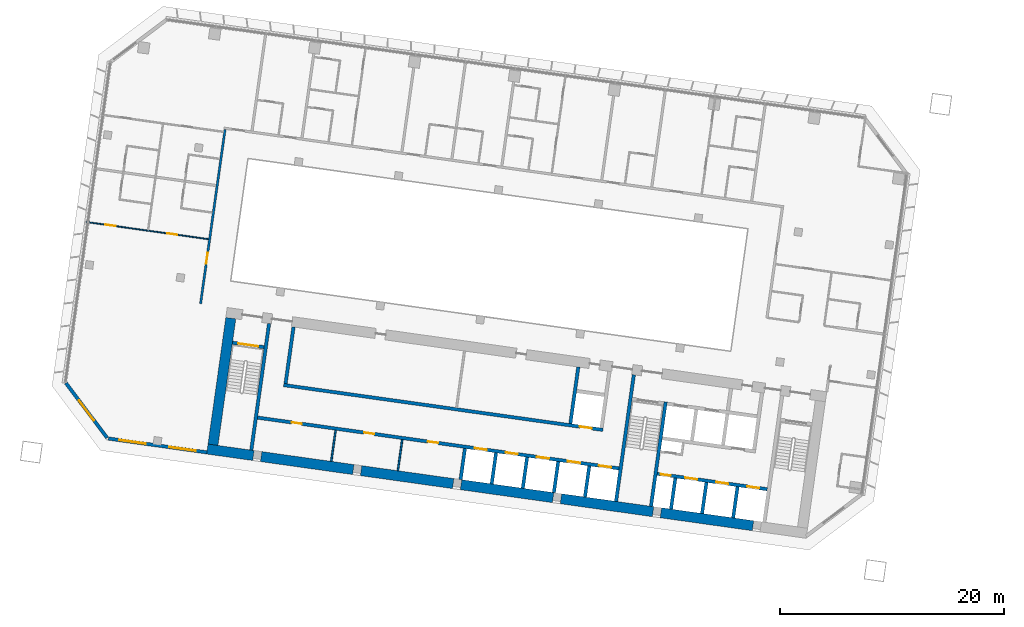
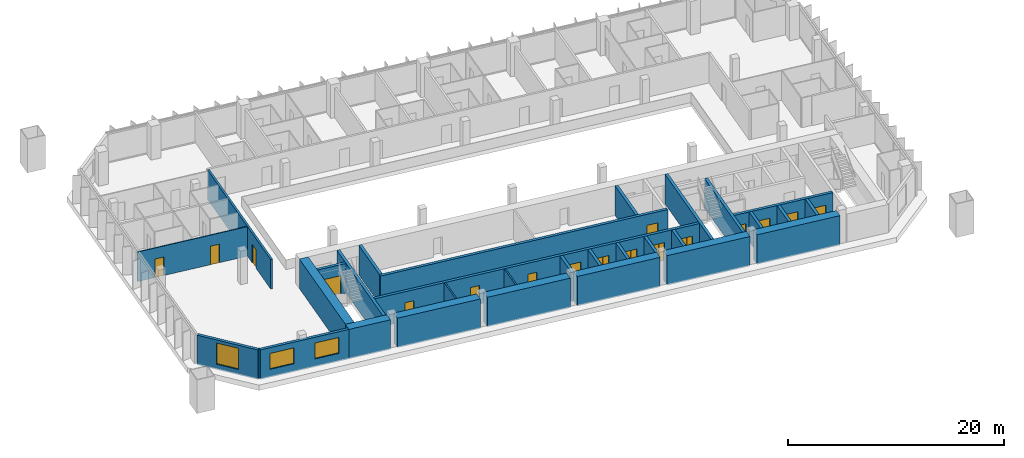
# One storey, part 14 of 25: 30 walls, 17 doors, 3 windows, 20 openings.
"""IFC4 building model written with IfcOpenShell, lengths in metres."""

from ifc_helpers import new_model, si_unit, direction, frame, frame_2d, origin, place, context, subcontext, project, spatial, rectangle, extrude, material, layer, layer_set, type_object, element, fill, save


model = new_model("IFC4")

# Units and contexts
model_context = context("Model", 3, precision=1e-05, world=origin(), true_north=direction((0.0, 1.0)))
body_context = subcontext(model_context, "Body", "Model", "MODEL_VIEW")
ifc_project = project(units=[si_unit("LENGTHUNIT", "METRE"), si_unit("AREAUNIT", "SQUARE_METRE"), si_unit("VOLUMEUNIT", "CUBIC_METRE"), si_unit("PLANEANGLEUNIT", "RADIAN"), si_unit("MASSUNIT", "GRAM", prefix="KILO")], contexts=[model_context])

# Site, building, storey
site_placement = place(None, origin())
site = spatial("IfcSite", under=ifc_project, at=site_placement, CompositionType="ELEMENT")
building_placement = place(site_placement, origin())
building = spatial("IfcBuilding", under=site, at=building_placement, Name="Mirante Cascada Hotel Towers", CompositionType="ELEMENT")
storey_placement = place(building_placement, frame((0.0, 0.0, 62.3)))
storey = spatial("IfcBuildingStorey", under=building, at=storey_placement, Name="L12", CompositionType="ELEMENT", Elevation=62.3)

# Wall, opening, door
ifc_material_1 = material(Name="Fire-rated plasterboard on metal studs")
ifc_layer_1 = layer(ifc_material_1, 0.2)
ifc_layer_set_1 = layer_set([ifc_layer_1], Name="Compartment wall 200 EI 120")
wall_type_1 = type_object("IfcWallType", Name="Compartment wall 200 EI 120", PredefinedType="PARTITIONING", material=ifc_layer_set_1)
wall_1_placement = place(storey_placement, frame((-91.1145, 0.7321, 0.0), z_axis=(0.0, 0.0, 1.0), x_axis=(0.1391721, 0.9902682, 0.0)))
wall_1 = element("IfcWall", 1, at=wall_1_placement, inside=storey, type_object=wall_type_1, Name="Wall 1-L12-59", PredefinedType="PARTITIONING", context=body_context, shape_type="SweptSolid", body=[
    extrude(rectangle(XDim=15.7, YDim=0.2, at=frame_2d((7.85, 0.0))), origin(), (0.0, 0.0, 1.0), 3.35),
])
opening_1_placement = place(wall_1_placement, frame((3.6, 0.0, 0.0)))
opening_1 = element("IfcOpeningElement", 2, at=opening_1_placement, cuts=wall_1, Name="Opening D1-L12-38", PredefinedType="OPENING", context=body_context, shape_type="SweptSolid", body=[
    extrude(rectangle(XDim=1.0, YDim=2.1, at=frame_2d((0.5, 1.05))), frame((0.0, 0.1, 0.0), z_axis=(0.0, -1.0, 0.0), x_axis=(1.0, 0.0, 0.0)), (0.0, 0.0, 1.0), 0.2),
])
ifc_material_2 = material(Name="Fire-rated timber door leaf", Category="wood")
door_type_1 = type_object("IfcDoorType", Name="Entrance door DG1 1000x2100 EI 60", OperationType="SINGLE_SWING_LEFT", PredefinedType="DOOR", material=ifc_material_2)
door_1_placement = place(opening_1_placement, origin())
door_1 = element("IfcDoor", 3, at=door_1_placement, inside=storey, type_object=door_type_1, Name="Door D1-L12-38", OperationType="SINGLE_SWING_LEFT", OverallHeight=2.1, OverallWidth=1.0, PredefinedType="DOOR", context=body_context, shape_type="SweptSolid", body=[
    extrude(rectangle(XDim=1.0, YDim=2.1, at=frame_2d((0.5, 1.05))), frame((0.0, 0.025, 0.0), z_axis=(0.0, -1.0, 0.0), x_axis=(1.0, 0.0, 0.0)), (0.0, 0.0, 1.0), 0.05),
])
fill(opening_1, door_1)

# Walls
ifc_material_3 = material(Name="Masonry block", Category="masonry")
ifc_layer_2 = layer(ifc_material_3, 0.15)
ifc_layer_set_2 = layer_set([ifc_layer_2], Name="Core room partition 150 block EI 30")
wall_type_2 = type_object("IfcWallType", Name="Core room partition 150 block EI 30", PredefinedType="PARTITIONING", material=ifc_layer_set_2)
wall_2_placement = place(storey_placement, frame((-73.5161, -14.1621, 0.0), z_axis=(0.0, 0.0, 1.0), x_axis=(0.139176, 0.9902677, 0.0)))
element("IfcWall", 4, at=wall_2_placement, inside=storey, type_object=wall_type_2, Name="Core wall partition T1 L12 4", PredefinedType="PARTITIONING", context=body_context, shape_type="SweptSolid", body=[
    extrude(rectangle(XDim=2.8001, YDim=0.15, at=frame_2d((1.4, 0.0))), origin(), (0.0, 0.0, 1.0), 3.35),
])
wall_3_placement = place(storey_placement, frame((-79.4577, -13.327, 0.0), z_axis=(0.0, 0.0, 1.0), x_axis=(0.1391459, 0.9902719, 0.0)))
element("IfcWall", 5, at=wall_3_placement, inside=storey, type_object=wall_type_2, Name="Core wall partition T1 L12 5", PredefinedType="PARTITIONING", context=body_context, shape_type="SweptSolid", body=[
    extrude(rectangle(XDim=2.7999, YDim=0.15, at=frame_2d((1.4, 0.0))), origin(), (0.0, 0.0, 1.0), 3.35),
])

# Wall, openings, doors
ifc_material_4 = material(Name="Plasterboard on metal studs")
ifc_layer_3 = layer(ifc_material_4, 0.1)
ifc_layer_set_3 = layer_set([ifc_layer_3], Name="Partition 100")
wall_type_3 = type_object("IfcWallType", Name="Partition 100", PredefinedType="PARTITIONING", material=ifc_layer_set_3)
wall_4_placement = place(storey_placement, frame((-90.4064, 6.4896, 0.0), z_axis=(0.0, 0.0, 1.0), x_axis=(-0.990268, 0.1391733, 0.0)))
wall_4 = element("IfcWall", 6, at=wall_4_placement, inside=storey, type_object=wall_type_3, Name="Wall 1-L12-07", PredefinedType="PARTITIONING", context=body_context, shape_type="SweptSolid", body=[
    extrude(rectangle(XDim=11.0, YDim=0.1, at=frame_2d((5.5, 0.0))), origin(), (0.0, 0.0, 1.0), 3.35),
])
opening_2_placement = place(wall_4_placement, frame((2.825, 0.0, 0.0)))
opening_2 = element("IfcOpeningElement", 7, at=opening_2_placement, cuts=wall_4, Name="Opening D1-L12-02", PredefinedType="OPENING", context=body_context, shape_type="SweptSolid", body=[
    extrude(rectangle(XDim=0.9, YDim=2.1, at=frame_2d((0.45, 1.05))), frame((0.0, 0.05, 0.0), z_axis=(0.0, -1.0, 0.0), x_axis=(1.0, 0.0, 0.0)), (0.0, 0.0, 1.0), 0.1),
])
opening_3_placement = place(wall_4_placement, frame((8.375, 0.0, 0.0)))
opening_3 = element("IfcOpeningElement", 8, at=opening_3_placement, cuts=wall_4, Name="Opening D1-L12-03", PredefinedType="OPENING", context=body_context, shape_type="SweptSolid", body=[
    extrude(rectangle(XDim=0.9, YDim=2.1, at=frame_2d((0.45, 1.05))), frame((0.0, 0.05, 0.0), z_axis=(0.0, -1.0, 0.0), x_axis=(1.0, 0.0, 0.0)), (0.0, 0.0, 1.0), 0.1),
])
ifc_material_5 = material(Name="Timber door leaf", Category="wood")
door_type_2 = type_object("IfcDoorType", Name="Room door DG3 900x2100", OperationType="SINGLE_SWING_LEFT", PredefinedType="DOOR", material=ifc_material_5)
door_2_placement = place(opening_2_placement, origin())
door_2 = element("IfcDoor", 9, at=door_2_placement, inside=storey, type_object=door_type_2, Name="Door D1-L12-02", OperationType="SINGLE_SWING_LEFT", OverallHeight=2.1, OverallWidth=0.9, PredefinedType="DOOR", context=body_context, shape_type="SweptSolid", body=[
    extrude(rectangle(XDim=0.9, YDim=2.1, at=frame_2d((0.45, 1.05))), frame((0.0, 0.025, 0.0), z_axis=(0.0, -1.0, 0.0), x_axis=(1.0, 0.0, 0.0)), (0.0, 0.0, 1.0), 0.05),
])
fill(opening_2, door_2)
door_3_placement = place(opening_3_placement, origin())
door_3 = element("IfcDoor", 10, at=door_3_placement, inside=storey, type_object=door_type_2, Name="Door D1-L12-03", OperationType="SINGLE_SWING_LEFT", OverallHeight=2.1, OverallWidth=0.9, PredefinedType="DOOR", context=body_context, shape_type="SweptSolid", body=[
    extrude(rectangle(XDim=0.9, YDim=2.1, at=frame_2d((0.45, 1.05))), frame((0.0, 0.025, 0.0), z_axis=(0.0, -1.0, 0.0), x_axis=(1.0, 0.0, 0.0)), (0.0, 0.0, 1.0), 0.05),
])
fill(opening_3, door_3)

# Wall, openings, windows
ifc_material_6 = material(Name="Precast concrete C40/50", Category="concrete")
ifc_layer_4 = layer(ifc_material_6, 0.3)
ifc_layer_set_4 = layer_set([ifc_layer_4], Name="Precast concrete C40/50 cladding wall 300")
wall_type_4 = type_object("IfcWallType", Name="Precast concrete C40/50 cladding wall 300", PredefinedType="STANDARD", material=ifc_layer_set_4)
wall_5_placement = place(storey_placement, frame((-90.5541, -12.5249, 0.0), z_axis=(0.0, 0.0, 1.0), x_axis=(-0.9902676, 0.1391765, 0.0)))
wall_5 = element("IfcWall", 11, at=wall_5_placement, inside=storey, type_object=wall_type_4, Name="Rear cladding wall T1 L12 1", PredefinedType="STANDARD", context=body_context, shape_type="SweptSolid", body=[
    extrude(rectangle(XDim=8.8758, YDim=0.3, at=frame_2d((4.4379, 0.0))), origin(), (0.0, 0.0, 1.0), 3.35),
])
opening_4_placement = place(wall_5_placement, frame((1.0012, 0.0, 0.9)))
opening_4 = element("IfcOpeningElement", 12, at=opening_4_placement, cuts=wall_5, Name="Opening W1-12-01", PredefinedType="OPENING", context=body_context, shape_type="SweptSolid", body=[
    extrude(rectangle(XDim=2.4, YDim=1.8, at=frame_2d((1.2, 0.9))), frame((0.0, 0.15, 0.0), z_axis=(0.0, -1.0, 0.0), x_axis=(1.0, 0.0, 0.0)), (0.0, 0.0, 1.0), 0.3),
])
opening_5_placement = place(wall_5_placement, frame((5.4923, 0.0, 0.9)))
opening_5 = element("IfcOpeningElement", 13, at=opening_5_placement, cuts=wall_5, Name="Opening W1-12-02", PredefinedType="OPENING", context=body_context, shape_type="SweptSolid", body=[
    extrude(rectangle(XDim=2.4, YDim=1.8, at=frame_2d((1.2, 0.9))), frame((0.0, 0.15, 0.0), z_axis=(0.0, -1.0, 0.0), x_axis=(1.0, 0.0, 0.0)), (0.0, 0.0, 1.0), 0.3),
])
ifc_material_7 = material(Name="Aluminium frame with clear double glazing", Category="aluminium")
window_type_1 = type_object("IfcWindowType", Name="Punched window 2400x1800", PartitioningType="DOUBLE_PANEL_VERTICAL", PredefinedType="WINDOW", material=ifc_material_7)
window_1_placement = place(opening_4_placement, origin())
window_1 = element("IfcWindow", 14, at=window_1_placement, inside=storey, type_object=window_type_1, Name="Window W1-12-01", OverallHeight=1.8, OverallWidth=2.4, PartitioningType="SINGLE_PANEL", PredefinedType="WINDOW", context=body_context, shape_type="SweptSolid", body=[
    extrude(rectangle(XDim=2.4, YDim=1.8, at=frame_2d((1.2, 0.9))), frame((0.0, 0.03, 0.0), z_axis=(0.0, -1.0, 0.0), x_axis=(1.0, 0.0, 0.0)), (0.0, 0.0, 1.0), 0.06),
])
fill(opening_4, window_1)
window_2_placement = place(opening_5_placement, origin())
window_2 = element("IfcWindow", 15, at=window_2_placement, inside=storey, type_object=window_type_1, Name="Window W1-12-02", OverallHeight=1.8, OverallWidth=2.4, PartitioningType="SINGLE_PANEL", PredefinedType="WINDOW", context=body_context, shape_type="SweptSolid", body=[
    extrude(rectangle(XDim=2.4, YDim=1.8, at=frame_2d((1.2, 0.9))), frame((0.0, 0.03, 0.0), z_axis=(0.0, -1.0, 0.0), x_axis=(1.0, 0.0, 0.0)), (0.0, 0.0, 1.0), 0.06),
])
fill(opening_5, window_2)

# Wall, opening, window
wall_6_placement = place(storey_placement, frame((-99.4424, -11.2313, 0.0), z_axis=(0.0, 0.0, 1.0), x_axis=(-0.6018194, 0.7986322, 0.0)))
wall_6 = element("IfcWall", 16, at=wall_6_placement, inside=storey, type_object=wall_type_4, Name="Corner cladding wall T1 L12 rear outer", PredefinedType="STANDARD", context=body_context, shape_type="SweptSolid", body=[
    extrude(rectangle(XDim=6.1155, YDim=0.3, at=frame_2d((3.0578, 0.0))), origin(), (0.0, 0.0, 1.0), 3.35),
])
opening_6_placement = place(wall_6_placement, frame((1.9576, 0.0, 0.6)))
opening_6 = element("IfcOpeningElement", 17, at=opening_6_placement, cuts=wall_6, Name="Opening W1-12-03", PredefinedType="OPENING", context=body_context, shape_type="SweptSolid", body=[
    extrude(rectangle(XDim=2.2, YDim=2.4, at=frame_2d((1.1, 1.2))), frame((0.0, 0.15, 0.0), z_axis=(0.0, -1.0, 0.0), x_axis=(1.0, 0.0, 0.0)), (0.0, 0.0, 1.0), 0.3),
])
ifc_material_8 = material(Name="Aluminium frame with clear double glazing", Category="aluminium")
window_type_2 = type_object("IfcWindowType", Name="Corner suite window 2200x2400", PartitioningType="DOUBLE_PANEL_VERTICAL", PredefinedType="WINDOW", material=ifc_material_8)
window_3_placement = place(opening_6_placement, origin())
window_3 = element("IfcWindow", 18, at=window_3_placement, inside=storey, type_object=window_type_2, Name="Window W1-12-03", OverallHeight=2.4, OverallWidth=2.2, PartitioningType="SINGLE_PANEL", PredefinedType="WINDOW", context=body_context, shape_type="SweptSolid", body=[
    extrude(rectangle(XDim=2.2, YDim=2.4, at=frame_2d((1.1, 1.2))), frame((0.0, 0.03, 0.0), z_axis=(0.0, -1.0, 0.0), x_axis=(1.0, 0.0, 0.0)), (0.0, 0.0, 1.0), 0.06),
])
fill(opening_6, window_3)

# Walls
ifc_material_9 = material(Name="Concrete C50/60", Category="concrete")
ifc_layer_5 = layer(ifc_material_9, 0.3)
ifc_layer_set_5 = layer_set([ifc_layer_5], Name="RC core wall 300 C50/60")
wall_type_5 = type_object("IfcWallType", Name="RC core wall 300 C50/60", PredefinedType="SHEAR", material=ifc_layer_set_5)
wall_7_placement = place(storey_placement, frame((-50.938, -17.3352, 0.0), z_axis=(0.0, 0.0, 1.0), x_axis=(0.1391706, 0.9902684, 0.0)))
element("IfcWall", 19, at=wall_7_placement, inside=storey, type_object=wall_type_5, Name="Core wall T1:L12:6", PredefinedType="SHEAR", context=body_context, shape_type="SweptSolid", body=[
    extrude(rectangle(XDim=9.4, YDim=0.3, at=frame_2d((4.7, 0.0))), origin(), (0.0, 0.0, 1.0), 3.35),
])
wall_8_placement = place(storey_placement, frame((-54.0574, -16.8968, 0.0), z_axis=(0.0, 0.0, 1.0), x_axis=(0.1391761, 0.9902677, 0.0)))
element("IfcWall", 20, at=wall_8_placement, inside=storey, type_object=wall_type_5, Name="Core wall T1:L12:7", PredefinedType="SHEAR", context=body_context, shape_type="SweptSolid", body=[
    extrude(rectangle(XDim=11.3999, YDim=0.3, at=frame_2d((5.7, 0.0))), origin(), (0.0, 0.0, 1.0), 3.35),
])
wall_9_placement = place(storey_placement, frame((-86.5877, -12.325, 0.0), z_axis=(0.0, 0.0, 1.0), x_axis=(0.1391749, 0.9902678, 0.0)))
element("IfcWall", 21, at=wall_9_placement, inside=storey, type_object=wall_type_5, Name="Core wall T1:L12:8", PredefinedType="SHEAR", context=body_context, shape_type="SweptSolid", body=[
    extrude(rectangle(XDim=11.4, YDim=0.3, at=frame_2d((5.7, 0.0))), origin(), (0.0, 0.0, 1.0), 3.35),
])

# Wall, opening, door
wall_10_placement = place(storey_placement, frame((-85.4489, -3.1441, 0.0), z_axis=(0.0, 0.0, 1.0), x_axis=(-0.9902697, 0.1391613, 0.0)))
wall_10 = element("IfcWall", 22, at=wall_10_placement, inside=storey, type_object=wall_type_5, Name="Core wall T1:L12:11", PredefinedType="SHEAR", context=body_context, shape_type="SweptSolid", body=[
    extrude(rectangle(XDim=2.8499, YDim=0.3, at=frame_2d((1.425, 0.0))), origin(), (0.0, 0.0, 1.0), 3.35),
])
opening_7_placement = place(wall_10_placement, frame((0.525, 0.0, 0.0)))
opening_7 = element("IfcOpeningElement", 23, at=opening_7_placement, cuts=wall_10, Name="Opening D1-12-C17", PredefinedType="OPENING", context=body_context, shape_type="SweptSolid", body=[
    extrude(rectangle(XDim=1.8, YDim=2.1, at=frame_2d((0.9, 1.05))), frame((0.0, 0.15, 0.0), z_axis=(0.0, -1.0, 0.0), x_axis=(1.0, 0.0, 0.0)), (0.0, 0.0, 1.0), 0.3),
])
ifc_material_10 = material(Name="Hollow metal fire door leaf")
door_type_3 = type_object("IfcDoorType", Name="Double fire door 1800x2100 FD60", OperationType="DOUBLE_DOOR_SINGLE_SWING", PredefinedType="DOOR", material=ifc_material_10)
door_4_placement = place(opening_7_placement, origin())
door_4 = element("IfcDoor", 24, at=door_4_placement, inside=storey, type_object=door_type_3, Name="Stair door T1 L12 17", OperationType="DOUBLE_DOOR_SINGLE_SWING", OverallHeight=2.1, OverallWidth=1.8, PredefinedType="DOOR", context=body_context, shape_type="SweptSolid", body=[
    extrude(rectangle(XDim=0.895, YDim=2.1, at=frame_2d((0.4475, 1.05))), frame((0.0, 0.025, 0.0), z_axis=(0.0, -1.0, 0.0), x_axis=(1.0, 0.0, 0.0)), (0.0, 0.0, 1.0), 0.05),
    extrude(rectangle(XDim=0.895, YDim=2.1, at=frame_2d((1.3525, 1.05))), frame((0.0, 0.025, 0.0), z_axis=(0.0, -1.0, 0.0), x_axis=(1.0, 0.0, 0.0)), (0.0, 0.0, 1.0), 0.05),
])
fill(opening_7, door_4)

# Wall, openings, doors
wall_11_placement = place(storey_placement, frame((-40.5753, -15.8126, 0.0), z_axis=(0.0, 0.0, 1.0), x_axis=(-0.9902682, 0.1391725, 0.0)))
wall_11 = element("IfcWall", 25, at=wall_11_placement, inside=storey, type_object=wall_type_5, Name="Core wall T1:L12:12", PredefinedType="SHEAR", context=body_context, shape_type="SweptSolid", body=[
    extrude(rectangle(XDim=9.8999, YDim=0.3, at=frame_2d((4.95, 0.0))), origin(), (0.0, 0.0, 1.0), 3.35),
])
opening_8_placement = place(wall_11_placement, frame((0.7, 0.0, 0.0)))
opening_8 = element("IfcOpeningElement", 26, at=opening_8_placement, cuts=wall_11, Name="Opening LD", PredefinedType="OPENING", context=body_context, shape_type="SweptSolid", body=[
    extrude(rectangle(XDim=1.1, YDim=2.1, at=frame_2d((0.55, 1.05))), frame((0.0, 0.15, 0.0), z_axis=(0.0, -1.0, 0.0), x_axis=(1.0, 0.0, 0.0)), (0.0, 0.0, 1.0), 0.3),
])
opening_9_placement = place(wall_11_placement, frame((3.5, 0.0, 0.0)))
opening_9 = element("IfcOpeningElement", 27, at=opening_9_placement, cuts=wall_11, Name="Opening LD", PredefinedType="OPENING", context=body_context, shape_type="SweptSolid", body=[
    extrude(rectangle(XDim=1.1, YDim=2.1, at=frame_2d((0.55, 1.05))), frame((0.0, 0.15, 0.0), z_axis=(0.0, -1.0, 0.0), x_axis=(1.0, 0.0, 0.0)), (0.0, 0.0, 1.0), 0.3),
])
opening_10_placement = place(wall_11_placement, frame((6.3, 0.0, 0.0)))
opening_10 = element("IfcOpeningElement", 28, at=opening_10_placement, cuts=wall_11, Name="Opening LD", PredefinedType="OPENING", context=body_context, shape_type="SweptSolid", body=[
    extrude(rectangle(XDim=1.1, YDim=2.1, at=frame_2d((0.55, 1.05))), frame((0.0, 0.15, 0.0), z_axis=(0.0, -1.0, 0.0), x_axis=(1.0, 0.0, 0.0)), (0.0, 0.0, 1.0), 0.3),
])
opening_11_placement = place(wall_11_placement, frame((8.7, 0.0, 0.0)))
opening_11 = element("IfcOpeningElement", 29, at=opening_11_placement, cuts=wall_11, Name="Opening D1-12-C22", PredefinedType="OPENING", context=body_context, shape_type="SweptSolid", body=[
    extrude(rectangle(XDim=0.9, YDim=2.1, at=frame_2d((0.45, 1.05))), frame((0.0, 0.15, 0.0), z_axis=(0.0, -1.0, 0.0), x_axis=(1.0, 0.0, 0.0)), (0.0, 0.0, 1.0), 0.3),
])
ifc_material_11 = material(Name="Hollow metal fire door leaf")
door_type_4 = type_object("IfcDoorType", Name="Fire door 900x2100 FD60", OperationType="NOTDEFINED", PredefinedType="DOOR", material=ifc_material_11)
door_5_placement = place(opening_11_placement, origin())
door_5 = element("IfcDoor", 30, at=door_5_placement, inside=storey, type_object=door_type_4, Name="Riser door T1 L12 22", OperationType="SINGLE_SWING_LEFT", OverallHeight=2.1, OverallWidth=0.9, PredefinedType="DOOR", context=body_context, shape_type="SweptSolid", body=[
    extrude(rectangle(XDim=0.9, YDim=2.1, at=frame_2d((0.45, 1.05))), frame((0.0, 0.025, 0.0), z_axis=(0.0, -1.0, 0.0), x_axis=(1.0, 0.0, 0.0)), (0.0, 0.0, 1.0), 0.05),
])
fill(opening_11, door_5)
ifc_material_12 = material(Name="Stainless steel", Category="steel")
door_type_5 = type_object("IfcDoorType", Name="Lift landing door 1100x2100 EI 120", OperationType="DOUBLE_DOOR_SLIDING", PredefinedType="DOOR", material=ifc_material_12)
door_6_placement = place(opening_8_placement, origin())
door_6 = element("IfcDoor", 31, at=door_6_placement, inside=storey, type_object=door_type_5, Name="Lift landing door HR1-1 L12", OperationType="DOUBLE_DOOR_SLIDING", OverallHeight=2.1, OverallWidth=1.1, PredefinedType="DOOR", context=body_context, shape_type="SweptSolid", body=[
    extrude(rectangle(XDim=0.545, YDim=2.1, at=frame_2d((0.2725, 1.05))), frame((0.0, 0.025, 0.0), z_axis=(0.0, -1.0, 0.0), x_axis=(1.0, 0.0, 0.0)), (0.0, 0.0, 1.0), 0.05),
    extrude(rectangle(XDim=0.545, YDim=2.1, at=frame_2d((0.8275, 1.05))), frame((0.0, 0.025, 0.0), z_axis=(0.0, -1.0, 0.0), x_axis=(1.0, 0.0, 0.0)), (0.0, 0.0, 1.0), 0.05),
])
fill(opening_8, door_6)
door_7_placement = place(opening_9_placement, origin())
door_7 = element("IfcDoor", 32, at=door_7_placement, inside=storey, type_object=door_type_5, Name="Lift landing door HR1-2 L12", OperationType="DOUBLE_DOOR_SLIDING", OverallHeight=2.1, OverallWidth=1.1, PredefinedType="DOOR", context=body_context, shape_type="SweptSolid", body=[
    extrude(rectangle(XDim=0.545, YDim=2.1, at=frame_2d((0.2725, 1.05))), frame((0.0, 0.025, 0.0), z_axis=(0.0, -1.0, 0.0), x_axis=(1.0, 0.0, 0.0)), (0.0, 0.0, 1.0), 0.05),
    extrude(rectangle(XDim=0.545, YDim=2.1, at=frame_2d((0.8275, 1.05))), frame((0.0, 0.025, 0.0), z_axis=(0.0, -1.0, 0.0), x_axis=(1.0, 0.0, 0.0)), (0.0, 0.0, 1.0), 0.05),
])
fill(opening_9, door_7)
door_8_placement = place(opening_10_placement, origin())
door_8 = element("IfcDoor", 33, at=door_8_placement, inside=storey, type_object=door_type_5, Name="Lift landing door HR1-3 L12", OperationType="DOUBLE_DOOR_SLIDING", OverallHeight=2.1, OverallWidth=1.1, PredefinedType="DOOR", context=body_context, shape_type="SweptSolid", body=[
    extrude(rectangle(XDim=0.545, YDim=2.1, at=frame_2d((0.2725, 1.05))), frame((0.0, 0.025, 0.0), z_axis=(0.0, -1.0, 0.0), x_axis=(1.0, 0.0, 0.0)), (0.0, 0.0, 1.0), 0.05),
    extrude(rectangle(XDim=0.545, YDim=2.1, at=frame_2d((0.8275, 1.05))), frame((0.0, 0.025, 0.0), z_axis=(0.0, -1.0, 0.0), x_axis=(1.0, 0.0, 0.0)), (0.0, 0.0, 1.0), 0.05),
])
fill(opening_10, door_8)

# Walls
wall_12_placement = place(storey_placement, frame((-43.61, -18.3651, 0.0), z_axis=(0.0, 0.0, 1.0), x_axis=(0.1391459, 0.9902719, 0.0)))
element("IfcWall", 34, at=wall_12_placement, inside=storey, type_object=wall_type_5, Name="Core wall T1:L12:15", PredefinedType="SHEAR", context=body_context, shape_type="SweptSolid", body=[
    extrude(rectangle(XDim=2.7999, YDim=0.3, at=frame_2d((1.4, 0.0))), origin(), (0.0, 0.0, 1.0), 3.35),
])
wall_13_placement = place(storey_placement, frame((-46.3828, -17.9754, 0.0), z_axis=(0.0, 0.0, 1.0), x_axis=(0.139181, 0.990267, 0.0)))
element("IfcWall", 35, at=wall_13_placement, inside=storey, type_object=wall_type_5, Name="Core wall T1:L12:16", PredefinedType="SHEAR", context=body_context, shape_type="SweptSolid", body=[
    extrude(rectangle(XDim=2.8, YDim=0.3, at=frame_2d((1.4, 0.0))), origin(), (0.0, 0.0, 1.0), 3.35),
])
wall_14_placement = place(storey_placement, frame((-49.1555, -17.5857, 0.0), z_axis=(0.0, 0.0, 1.0), x_axis=(0.1391459, 0.9902719, 0.0)))
element("IfcWall", 36, at=wall_14_placement, inside=storey, type_object=wall_type_5, Name="Core wall T1:L12:17", PredefinedType="SHEAR", context=body_context, shape_type="SweptSolid", body=[
    extrude(rectangle(XDim=2.7999, YDim=0.3, at=frame_2d((1.4, 0.0))), origin(), (0.0, 0.0, 1.0), 3.35),
])

# Wall, openings, doors
wall_15_placement = place(storey_placement, frame((-53.7953, -13.9547, 0.0), z_axis=(0.0, 0.0, 1.0), x_axis=(-0.990268, 0.1391733, 0.0)))
wall_15 = element("IfcWall", 37, at=wall_15_placement, inside=storey, type_object=wall_type_5, Name="Core wall T1:L12:24", PredefinedType="SHEAR", context=body_context, shape_type="SweptSolid", body=[
    extrude(rectangle(XDim=32.5501, YDim=0.3, at=frame_2d((16.275, 0.0))), origin(), (0.0, 0.0, 1.0), 3.35),
])
opening_12_placement = place(wall_15_placement, frame((0.7, 0.0, 0.0)))
opening_12 = element("IfcOpeningElement", 38, at=opening_12_placement, cuts=wall_15, Name="Opening LD", PredefinedType="OPENING", context=body_context, shape_type="SweptSolid", body=[
    extrude(rectangle(XDim=1.1, YDim=2.1, at=frame_2d((0.55, 1.05))), frame((0.0, 0.15, 0.0), z_axis=(0.0, -1.0, 0.0), x_axis=(1.0, 0.0, 0.0)), (0.0, 0.0, 1.0), 0.3),
])
opening_13_placement = place(wall_15_placement, frame((3.5, 0.0, 0.0)))
opening_13 = element("IfcOpeningElement", 39, at=opening_13_placement, cuts=wall_15, Name="Opening LD", PredefinedType="OPENING", context=body_context, shape_type="SweptSolid", body=[
    extrude(rectangle(XDim=1.1, YDim=2.1, at=frame_2d((0.55, 1.05))), frame((0.0, 0.15, 0.0), z_axis=(0.0, -1.0, 0.0), x_axis=(1.0, 0.0, 0.0)), (0.0, 0.0, 1.0), 0.3),
])
opening_14_placement = place(wall_15_placement, frame((6.3, 0.0, 0.0)))
opening_14 = element("IfcOpeningElement", 40, at=opening_14_placement, cuts=wall_15, Name="Opening LD", PredefinedType="OPENING", context=body_context, shape_type="SweptSolid", body=[
    extrude(rectangle(XDim=1.1, YDim=2.1, at=frame_2d((0.55, 1.05))), frame((0.0, 0.15, 0.0), z_axis=(0.0, -1.0, 0.0), x_axis=(1.0, 0.0, 0.0)), (0.0, 0.0, 1.0), 0.3),
])
opening_15_placement = place(wall_15_placement, frame((9.1, 0.0, 0.0)))
opening_15 = element("IfcOpeningElement", 41, at=opening_15_placement, cuts=wall_15, Name="Opening LD", PredefinedType="OPENING", context=body_context, shape_type="SweptSolid", body=[
    extrude(rectangle(XDim=1.1, YDim=2.1, at=frame_2d((0.55, 1.05))), frame((0.0, 0.15, 0.0), z_axis=(0.0, -1.0, 0.0), x_axis=(1.0, 0.0, 0.0)), (0.0, 0.0, 1.0), 0.3),
])
opening_16_placement = place(wall_15_placement, frame((11.9, 0.0, 0.0)))
opening_16 = element("IfcOpeningElement", 42, at=opening_16_placement, cuts=wall_15, Name="Opening LD", PredefinedType="OPENING", context=body_context, shape_type="SweptSolid", body=[
    extrude(rectangle(XDim=1.1, YDim=2.1, at=frame_2d((0.55, 1.05))), frame((0.0, 0.15, 0.0), z_axis=(0.0, -1.0, 0.0), x_axis=(1.0, 0.0, 0.0)), (0.0, 0.0, 1.0), 0.3),
])
opening_17_placement = place(wall_15_placement, frame((16.3, 0.0, 0.0)))
opening_17 = element("IfcOpeningElement", 43, at=opening_17_placement, cuts=wall_15, Name="Opening D1-12-C25", PredefinedType="OPENING", context=body_context, shape_type="SweptSolid", body=[
    extrude(rectangle(XDim=0.9, YDim=2.1, at=frame_2d((0.45, 1.05))), frame((0.0, 0.15, 0.0), z_axis=(0.0, -1.0, 0.0), x_axis=(1.0, 0.0, 0.0)), (0.0, 0.0, 1.0), 0.3),
])
opening_18_placement = place(wall_15_placement, frame((22.05, 0.0, 0.0)))
opening_18 = element("IfcOpeningElement", 44, at=opening_18_placement, cuts=wall_15, Name="Opening D1-12-C26", PredefinedType="OPENING", context=body_context, shape_type="SweptSolid", body=[
    extrude(rectangle(XDim=0.9, YDim=2.1, at=frame_2d((0.45, 1.05))), frame((0.0, 0.15, 0.0), z_axis=(0.0, -1.0, 0.0), x_axis=(1.0, 0.0, 0.0)), (0.0, 0.0, 1.0), 0.3),
])
opening_19_placement = place(wall_15_placement, frame((28.575, 0.0, 0.0)))
opening_19 = element("IfcOpeningElement", 45, at=opening_19_placement, cuts=wall_15, Name="Opening D1-12-C27", PredefinedType="OPENING", context=body_context, shape_type="SweptSolid", body=[
    extrude(rectangle(XDim=0.9, YDim=2.1, at=frame_2d((0.45, 1.05))), frame((0.0, 0.15, 0.0), z_axis=(0.0, -1.0, 0.0), x_axis=(1.0, 0.0, 0.0)), (0.0, 0.0, 1.0), 0.3),
])
door_9_placement = place(opening_17_placement, origin())
door_9 = element("IfcDoor", 46, at=door_9_placement, inside=storey, type_object=door_type_4, Name="Room door T1 L12 25", OperationType="SINGLE_SWING_LEFT", OverallHeight=2.1, OverallWidth=0.9, PredefinedType="DOOR", context=body_context, shape_type="SweptSolid", body=[
    extrude(rectangle(XDim=0.9, YDim=2.1, at=frame_2d((0.45, 1.05))), frame((0.0, 0.025, 0.0), z_axis=(0.0, -1.0, 0.0), x_axis=(1.0, 0.0, 0.0)), (0.0, 0.0, 1.0), 0.05),
])
fill(opening_17, door_9)
door_10_placement = place(opening_18_placement, origin())
door_10 = element("IfcDoor", 47, at=door_10_placement, inside=storey, type_object=door_type_4, Name="Room door T1 L12 26", OperationType="SINGLE_SWING_LEFT", OverallHeight=2.1, OverallWidth=0.9, PredefinedType="DOOR", context=body_context, shape_type="SweptSolid", body=[
    extrude(rectangle(XDim=0.9, YDim=2.1, at=frame_2d((0.45, 1.05))), frame((0.0, 0.025, 0.0), z_axis=(0.0, -1.0, 0.0), x_axis=(1.0, 0.0, 0.0)), (0.0, 0.0, 1.0), 0.05),
])
fill(opening_18, door_10)
door_11_placement = place(opening_19_placement, origin())
door_11 = element("IfcDoor", 48, at=door_11_placement, inside=storey, type_object=door_type_4, Name="Room door T1 L12 27", OperationType="SINGLE_SWING_LEFT", OverallHeight=2.1, OverallWidth=0.9, PredefinedType="DOOR", context=body_context, shape_type="SweptSolid", body=[
    extrude(rectangle(XDim=0.9, YDim=2.1, at=frame_2d((0.45, 1.05))), frame((0.0, 0.025, 0.0), z_axis=(0.0, -1.0, 0.0), x_axis=(1.0, 0.0, 0.0)), (0.0, 0.0, 1.0), 0.05),
])
fill(opening_19, door_11)
door_12_placement = place(opening_12_placement, origin())
door_12 = element("IfcDoor", 49, at=door_12_placement, inside=storey, type_object=door_type_5, Name="Lift landing door LR1-1 L12", OperationType="DOUBLE_DOOR_SLIDING", OverallHeight=2.1, OverallWidth=1.1, PredefinedType="DOOR", context=body_context, shape_type="SweptSolid", body=[
    extrude(rectangle(XDim=0.545, YDim=2.1, at=frame_2d((0.2725, 1.05))), frame((0.0, 0.025, 0.0), z_axis=(0.0, -1.0, 0.0), x_axis=(1.0, 0.0, 0.0)), (0.0, 0.0, 1.0), 0.05),
    extrude(rectangle(XDim=0.545, YDim=2.1, at=frame_2d((0.8275, 1.05))), frame((0.0, 0.025, 0.0), z_axis=(0.0, -1.0, 0.0), x_axis=(1.0, 0.0, 0.0)), (0.0, 0.0, 1.0), 0.05),
])
fill(opening_12, door_12)
door_13_placement = place(opening_13_placement, origin())
door_13 = element("IfcDoor", 50, at=door_13_placement, inside=storey, type_object=door_type_5, Name="Lift landing door LR1-2 L12", OperationType="DOUBLE_DOOR_SLIDING", OverallHeight=2.1, OverallWidth=1.1, PredefinedType="DOOR", context=body_context, shape_type="SweptSolid", body=[
    extrude(rectangle(XDim=0.545, YDim=2.1, at=frame_2d((0.2725, 1.05))), frame((0.0, 0.025, 0.0), z_axis=(0.0, -1.0, 0.0), x_axis=(1.0, 0.0, 0.0)), (0.0, 0.0, 1.0), 0.05),
    extrude(rectangle(XDim=0.545, YDim=2.1, at=frame_2d((0.8275, 1.05))), frame((0.0, 0.025, 0.0), z_axis=(0.0, -1.0, 0.0), x_axis=(1.0, 0.0, 0.0)), (0.0, 0.0, 1.0), 0.05),
])
fill(opening_13, door_13)
door_14_placement = place(opening_14_placement, origin())
door_14 = element("IfcDoor", 51, at=door_14_placement, inside=storey, type_object=door_type_5, Name="Lift landing door SV1-1 L12", OperationType="DOUBLE_DOOR_SLIDING", OverallHeight=2.1, OverallWidth=1.1, PredefinedType="DOOR", context=body_context, shape_type="SweptSolid", body=[
    extrude(rectangle(XDim=0.545, YDim=2.1, at=frame_2d((0.2725, 1.05))), frame((0.0, 0.025, 0.0), z_axis=(0.0, -1.0, 0.0), x_axis=(1.0, 0.0, 0.0)), (0.0, 0.0, 1.0), 0.05),
    extrude(rectangle(XDim=0.545, YDim=2.1, at=frame_2d((0.8275, 1.05))), frame((0.0, 0.025, 0.0), z_axis=(0.0, -1.0, 0.0), x_axis=(1.0, 0.0, 0.0)), (0.0, 0.0, 1.0), 0.05),
])
fill(opening_14, door_14)
door_15_placement = place(opening_15_placement, origin())
door_15 = element("IfcDoor", 52, at=door_15_placement, inside=storey, type_object=door_type_5, Name="Lift landing door SV1-2 L12", OperationType="DOUBLE_DOOR_SLIDING", OverallHeight=2.1, OverallWidth=1.1, PredefinedType="DOOR", context=body_context, shape_type="SweptSolid", body=[
    extrude(rectangle(XDim=0.545, YDim=2.1, at=frame_2d((0.2725, 1.05))), frame((0.0, 0.025, 0.0), z_axis=(0.0, -1.0, 0.0), x_axis=(1.0, 0.0, 0.0)), (0.0, 0.0, 1.0), 0.05),
    extrude(rectangle(XDim=0.545, YDim=2.1, at=frame_2d((0.8275, 1.05))), frame((0.0, 0.025, 0.0), z_axis=(0.0, -1.0, 0.0), x_axis=(1.0, 0.0, 0.0)), (0.0, 0.0, 1.0), 0.05),
])
fill(opening_15, door_15)
door_16_placement = place(opening_16_placement, origin())
door_16 = element("IfcDoor", 53, at=door_16_placement, inside=storey, type_object=door_type_5, Name="Lift landing door SV1-3 L12", OperationType="DOUBLE_DOOR_SLIDING", OverallHeight=2.1, OverallWidth=1.1, PredefinedType="DOOR", context=body_context, shape_type="SweptSolid", body=[
    extrude(rectangle(XDim=0.545, YDim=2.1, at=frame_2d((0.2725, 1.05))), frame((0.0, 0.025, 0.0), z_axis=(0.0, -1.0, 0.0), x_axis=(1.0, 0.0, 0.0)), (0.0, 0.0, 1.0), 0.05),
    extrude(rectangle(XDim=0.545, YDim=2.1, at=frame_2d((0.8275, 1.05))), frame((0.0, 0.025, 0.0), z_axis=(0.0, -1.0, 0.0), x_axis=(1.0, 0.0, 0.0)), (0.0, 0.0, 1.0), 0.05),
])
fill(opening_16, door_16)

# Walls
for number, where, z_axis, x_axis, name in (
    (54, (-56.8301, -16.5072, 0.0), (0.0, 0.0, 1.0), (0.139176, 0.9902677, 0.0), "Core wall T1:L12:25"),
    (55, (-59.6029, -16.1175, 0.0), (0.0, 0.0, 1.0), (0.139176, 0.9902677, 0.0), "Core wall T1:L12:26"),
    (56, (-62.3756, -15.7278, 0.0), (0.0, 0.0, 1.0), (0.139176, 0.9902677, 0.0), "Core wall T1:L12:27"),
    (57, (-65.1484, -15.3381, 0.0), (0.0, 0.0, 1.0), (0.139176, 0.9902677, 0.0), "Core wall T1:L12:28"),
):
    element("IfcWall", number, at=place(storey_placement, frame(where, z_axis=z_axis, x_axis=x_axis)), inside=storey, type_object=wall_type_5, Name=name, PredefinedType="SHEAR", context=body_context, shape_type="SweptSolid", body=[
        extrude(rectangle(XDim=2.8001, YDim=0.3, at=frame_2d((1.4, 0.0))), origin(), (0.0, 0.0, 1.0), 3.35),
    ])
wall_16_placement = place(storey_placement, frame((-67.9211, -14.9484, 0.0), z_axis=(0.0, 0.0, 1.0), x_axis=(0.139181, 0.990267, 0.0)))
element("IfcWall", 58, at=wall_16_placement, inside=storey, type_object=wall_type_5, Name="Core wall T1:L12:29", PredefinedType="SHEAR", context=body_context, shape_type="SweptSolid", body=[
    extrude(rectangle(XDim=2.8, YDim=0.3, at=frame_2d((1.4, 0.0))), origin(), (0.0, 0.0, 1.0), 3.35),
])

# Wall, opening, door
wall_17_placement = place(storey_placement, frame((-55.2315, -10.5214, 0.0), z_axis=(0.0, 0.0, 1.0), x_axis=(-0.9902682, 0.1391722, 0.0)))
wall_17 = element("IfcWall", 59, at=wall_17_placement, inside=storey, type_object=wall_type_5, Name="Core wall T1:L12:32", PredefinedType="SHEAR", context=body_context, shape_type="SweptSolid", body=[
    extrude(rectangle(XDim=28.75, YDim=0.3, at=frame_2d((14.375, 0.0))), origin(), (0.0, 0.0, 1.0), 3.35),
])
opening_20_placement = place(wall_17_placement, frame((1.0, 0.0, 0.0)))
opening_20 = element("IfcOpeningElement", 60, at=opening_20_placement, cuts=wall_17, Name="Opening LD", PredefinedType="OPENING", context=body_context, shape_type="SweptSolid", body=[
    extrude(rectangle(XDim=1.1, YDim=2.1, at=frame_2d((0.55, 1.05))), frame((0.0, 0.15, 0.0), z_axis=(0.0, -1.0, 0.0), x_axis=(1.0, 0.0, 0.0)), (0.0, 0.0, 1.0), 0.3),
])
door_17_placement = place(opening_20_placement, origin())
door_17 = element("IfcDoor", 61, at=door_17_placement, inside=storey, type_object=door_type_5, Name="Lift landing door LR1-3 L12", OperationType="DOUBLE_DOOR_SLIDING", OverallHeight=2.1, OverallWidth=1.1, PredefinedType="DOOR", context=body_context, shape_type="SweptSolid", body=[
    extrude(rectangle(XDim=0.545, YDim=2.1, at=frame_2d((0.2725, 1.05))), frame((0.0, 0.025, 0.0), z_axis=(0.0, -1.0, 0.0), x_axis=(1.0, 0.0, 0.0)), (0.0, 0.0, 1.0), 0.05),
    extrude(rectangle(XDim=0.545, YDim=2.1, at=frame_2d((0.8275, 1.05))), frame((0.0, 0.025, 0.0), z_axis=(0.0, -1.0, 0.0), x_axis=(1.0, 0.0, 0.0)), (0.0, 0.0, 1.0), 0.05),
])
fill(opening_20, door_17)

# Walls
for number, where, z_axis, x_axis, name in (
    (62, (-83.5323, -6.3925, 0.0), (0.0, 0.0, 1.0), (0.1391755, 0.9902677, 0.0), "Core wall T1:L12:34"),
    (63, (-58.1319, -9.9623, 0.0), (0.0, 0.0, 1.0), (0.1391755, 0.9902677, 0.0), "Core wall T1:L12:35"),
):
    element("IfcWall", number, at=place(storey_placement, frame(where, z_axis=z_axis, x_axis=x_axis)), inside=storey, type_object=wall_type_5, Name=name, PredefinedType="SHEAR", context=body_context, shape_type="SweptSolid", body=[
        extrude(rectangle(XDim=5.1, YDim=0.3, at=frame_2d((2.55, 0.0))), origin(), (0.0, 0.0, 1.0), 3.35),
    ])
ifc_material_13 = material(Name="Concrete C50/60", Category="concrete")
ifc_layer_6 = layer(ifc_material_13, 0.9)
ifc_layer_set_6 = layer_set([ifc_layer_6], Name="RC core wall 900 C50/60")
wall_type_6 = type_object("IfcWallType", Name="RC core wall 900 C50/60", PredefinedType="SHEAR", material=ifc_layer_set_6)
for number, where, z_axis, x_axis, name in (
    (64, (-41.8407, -19.0682, 0.0), (0.0, 0.0, 1.0), (-0.9902686, 0.1391692, 0.0), "Core wall T1:L12:1.2"),
    (65, (-50.7531, -17.8156, 0.0), (0.0, 0.0, 1.0), (-0.9902686, 0.1391692, 0.0), "Core wall T1:L12:1.3"),
    (66, (-59.6655, -16.5631, 0.0), (0.0, 0.0, 1.0), (-0.9902686, 0.1391692, 0.0), "Core wall T1:L12:1.4"),
    (67, (-68.5779, -15.3105, 0.0), (0.0, 0.0, 1.0), (-0.9902686, 0.1391692, 0.0), "Core wall T1:L12:1.5"),
    (68, (-77.4903, -14.058, 0.0), (0.0, 0.0, 1.0), (-0.990267, 0.139181, 0.0), "Core wall T1:L12:1.6"),
):
    element("IfcWall", number, at=place(storey_placement, frame(where, z_axis=z_axis, x_axis=x_axis)), inside=storey, type_object=wall_type_6, Name=name, PredefinedType="SHEAR", context=body_context, shape_type="SweptSolid", body=[
        extrude(rectangle(XDim=8.3, YDim=0.9, at=frame_2d((4.15, 0.0))), origin(), (0.0, 0.0, 1.0), 3.35),
    ])
wall_18_placement = place(storey_placement, frame((-86.4027, -12.8054, 0.0), z_axis=(0.0, 0.0, 1.0), x_axis=(-0.990267, 0.139181, 0.0)))
element("IfcWall", 69, at=wall_18_placement, inside=storey, type_object=wall_type_6, Name="Core wall T1:L12:1.7", PredefinedType="SHEAR", context=body_context, shape_type="SweptSolid", body=[
    extrude(rectangle(XDim=4.15, YDim=0.9, at=frame_2d((2.075, 0.0))), origin(), (0.0, 0.0, 1.0), 3.35),
])
wall_19_placement = place(storey_placement, frame((-90.0041, -11.8449, 0.0), z_axis=(0.0, 0.0, 1.0), x_axis=(0.1391749, 0.9902678, 0.0)))
element("IfcWall", 70, at=wall_19_placement, inside=storey, type_object=wall_type_6, Name="Core wall T1:L12:4", PredefinedType="SHEAR", context=body_context, shape_type="SweptSolid", body=[
    extrude(rectangle(XDim=11.4, YDim=0.9, at=frame_2d((5.7, 0.0))), origin(), (0.0, 0.0, 1.0), 3.35),
])

save(model, "model.ifc")
